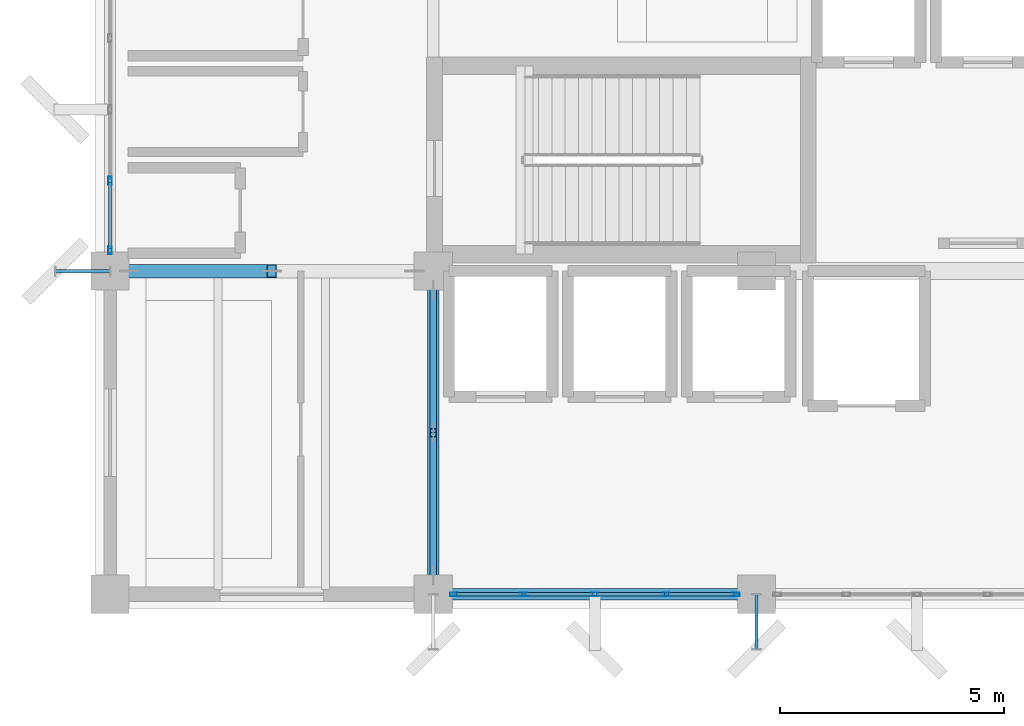
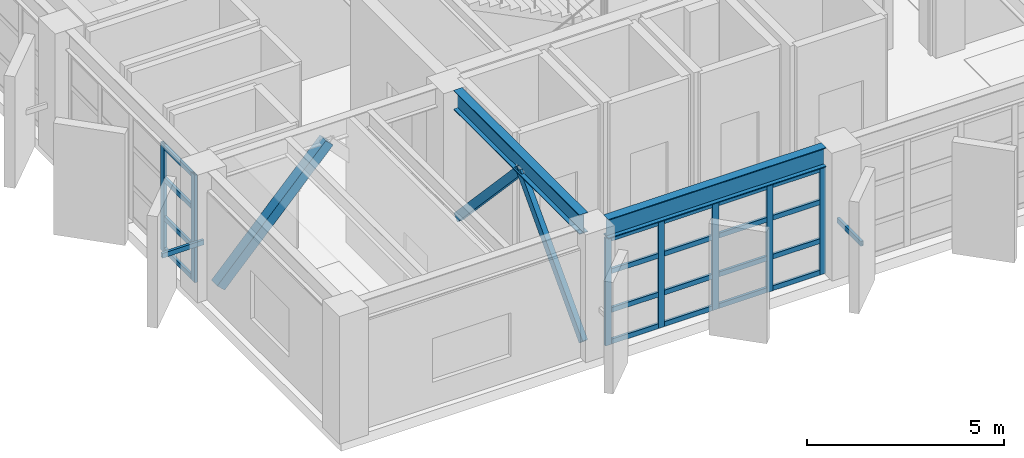
# One storey, part 6 of 59: 32 members, 2 beams, 2 elements without a shape of their own.
"""IFC4 building model written with IfcOpenShell, lengths in metres."""

from ifc_helpers import new_model, si_unit, direction, frame, origin, origin_2d, place, context, subcontext, project, spatial, hollow_rectangle, i_section, extrude, material, layer, layer_set, material_profile, profile_set, type_object, element, aggregate, save


model = new_model("IFC4")

# Units and contexts
model_context = context("Model", 3, precision=1e-05, world=origin(), true_north=direction((0.0, 1.0)))
body_context = subcontext(model_context, "Body", "Model", "MODEL_VIEW")
ifc_project = project(units=[si_unit("LENGTHUNIT", "METRE"), si_unit("AREAUNIT", "SQUARE_METRE"), si_unit("VOLUMEUNIT", "CUBIC_METRE"), si_unit("PLANEANGLEUNIT", "RADIAN"), si_unit("MASSUNIT", "GRAM", prefix="KILO")], contexts=[model_context])

# Site, building, storey
site_placement = place(None, origin())
site = spatial("IfcSite", under=ifc_project, at=site_placement, CompositionType="ELEMENT")
building_placement = place(site_placement, origin())
building = spatial("IfcBuilding", under=site, at=building_placement, Name="Kandorven Conservatory and Botanical Research Centre", CompositionType="ELEMENT")
storey_placement = place(building_placement, frame((0.0, 0.0, 4.800048828125)))
storey = spatial("IfcBuildingStorey", under=building, at=storey_placement, Name="L01", CompositionType="ELEMENT", Elevation=4.800048828125)

# Beams
ifc_material_1 = material(Name="Steel S355 (IS 2062 E350)", Category="steel")
ifc_material_profile_1 = material_profile(ifc_material_1, i_section(OverallWidth=0.25, OverallDepth=0.60009765625, WebThickness=0.01171875, FlangeThickness=0.023681640625, at=origin_2d()))
ifc_profile_set_1 = profile_set([ifc_material_profile_1], Name="Steel S355 (IS 2062 E350)")
beam_type = type_object("IfcBeamType", Name="Beam_FG-01", PredefinedType="USERDEFINED", material=ifc_profile_set_1)
beam_1_placement = place(storey_placement, frame((13.614990234375, 6.0, 3.64990234375), z_axis=(1.0, 0.0, 0.0), x_axis=(0.0, 1.0, 0.0)))
element("IfcBeam", 1, at=beam_1_placement, inside=storey, type_object=beam_type, Name="Primary girder FG-01 TWR L01", ObjectType="GIRDER", PredefinedType="USERDEFINED", context=body_context, shape_type="SweptSolid", body=[
    extrude(i_section(OverallWidth=0.25, OverallDepth=0.60009765625, WebThickness=0.01171875, FlangeThickness=0.023681640625, at=origin_2d()), origin(), (0.0, 0.0, 1.0), 6.3701171875),
])
beam_2_placement = place(storey_placement, frame((13.199951171875, 6.4150390625, 3.64990234375), z_axis=(0.0, 1.0, 0.0), x_axis=(-1.0, 0.0, 0.0)))
element("IfcBeam", 2, at=beam_2_placement, inside=storey, type_object=beam_type, Name="Primary girder FG-01 TWR L01", ObjectType="GIRDER", PredefinedType="USERDEFINED", context=body_context, shape_type="SweptSolid", body=[
    extrude(i_section(OverallWidth=0.25, OverallDepth=0.60009765625, WebThickness=0.01171875, FlangeThickness=0.023681640625, at=origin_2d()), origin(), (0.0, 0.0, 1.0), 6.369873046875),
])

# Curtain wall, members
ifc_material_2 = material(Name="Bronze anodised thermally broken aluminium", Category="aluminium")
ifc_layer = layer(ifc_material_2, 0.179931640625)
ifc_layer_set = layer_set([ifc_layer], Name="Bronze anodised thermally broken aluminium")
curtain_wall_type = type_object("IfcCurtainWallType", Name="CW_Unitised", PredefinedType="USERDEFINED", material=ifc_layer_set)
curtain_wall_1_placement = place(storey_placement, origin())
curtain_wall_1 = element("IfcCurtainWall", 3, at=curtain_wall_1_placement, inside=storey, type_object=curtain_wall_type, Name="Tower laboratory curtain wall CW-TWR-S-L01-2", ObjectType="UNITISED GLAZING", PredefinedType="USERDEFINED")
ifc_material_3 = material(Name="Bronze anodised thermally broken aluminium", Category="aluminium")
ifc_material_profile_2 = material_profile(ifc_material_3, hollow_rectangle(XDim=0.080078125, YDim=0.179931640625, WallThickness=0.006103515625, at=origin_2d()))
ifc_profile_set_2 = profile_set([ifc_material_profile_2], Name="Bronze anodised thermally broken aluminium")
member_type_1 = type_object("IfcMemberType", Name="CW_Mullion", PredefinedType="MULLION", material=ifc_profile_set_2)
member_1_placement = place(storey_placement, frame((13.6650390625, 6.0, 0.0), z_axis=(0.0, 0.0, 1.0), x_axis=(0.0, 1.0, 0.0)))
member_1 = element("IfcMember", 4, at=member_1_placement, type_object=member_type_1, Name="CW-01 mullion 1", PredefinedType="MULLION", context=body_context, shape_type="SweptSolid", body=[
    extrude(hollow_rectangle(XDim=0.080078125, YDim=0.179931640625, WallThickness=0.006103515625, at=origin_2d()), origin(), (0.0, 0.0, 1.0), 3.329833984375),
])
member_2_placement = place(storey_placement, frame((15.21240234375, 6.0, 0.0), z_axis=(0.0, 0.0, 1.0), x_axis=(0.0, 1.0, 0.0)))
member_2 = element("IfcMember", 5, at=member_2_placement, type_object=member_type_1, Name="CW-01 mullion 2", PredefinedType="MULLION", context=body_context, shape_type="SweptSolid", body=[
    extrude(hollow_rectangle(XDim=0.080078125, YDim=0.179931640625, WallThickness=0.006103515625, at=origin_2d()), origin(), (0.0, 0.0, 1.0), 3.329833984375),
])
member_3_placement = place(storey_placement, frame((16.800048828125, 6.0, 0.0), z_axis=(0.0, 0.0, 1.0), x_axis=(0.0, 1.0, 0.0)))
member_3 = element("IfcMember", 6, at=member_3_placement, type_object=member_type_1, Name="CW-01 mullion 3", PredefinedType="MULLION", context=body_context, shape_type="SweptSolid", body=[
    extrude(hollow_rectangle(XDim=0.080078125, YDim=0.179931640625, WallThickness=0.006103515625, at=origin_2d()), origin(), (0.0, 0.0, 1.0), 3.329833984375),
])
member_4_placement = place(storey_placement, frame((18.387451171875, 6.0, 0.0), z_axis=(0.0, 0.0, 1.0), x_axis=(0.0, 1.0, 0.0)))
member_4 = element("IfcMember", 7, at=member_4_placement, type_object=member_type_1, Name="CW-01 mullion 4", PredefinedType="MULLION", context=body_context, shape_type="SweptSolid", body=[
    extrude(hollow_rectangle(XDim=0.080078125, YDim=0.179931640625, WallThickness=0.006103515625, at=origin_2d()), origin(), (0.0, 0.0, 1.0), 3.329833984375),
])
member_5_placement = place(storey_placement, frame((19.93505859375, 6.0, 0.0), z_axis=(0.0, 0.0, 1.0), x_axis=(0.0, 1.0, 0.0)))
member_5 = element("IfcMember", 8, at=member_5_placement, type_object=member_type_1, Name="CW-01 mullion 5", PredefinedType="MULLION", context=body_context, shape_type="SweptSolid", body=[
    extrude(hollow_rectangle(XDim=0.080078125, YDim=0.179931640625, WallThickness=0.006103515625, at=origin_2d()), origin(), (0.0, 0.0, 1.0), 3.329833984375),
])

curtain_wall_2_placement = place(storey_placement, origin())
curtain_wall_2 = element("IfcCurtainWall", 9, at=curtain_wall_2_placement, inside=storey, type_object=curtain_wall_type, Name="Tower laboratory curtain wall CW-TWR-W-L01-2", ObjectType="UNITISED GLAZING", PredefinedType="USERDEFINED")
member_6_placement = place(storey_placement, frame((6.0, 13.6650390625, 0.0), z_axis=(0.0, 0.0, 1.0), x_axis=(-1.0, 0.0, 0.0)))
member_6 = element("IfcMember", 10, at=member_6_placement, type_object=member_type_1, Name="CW-01 mullion 1", PredefinedType="MULLION", context=body_context, shape_type="SweptSolid", body=[
    extrude(hollow_rectangle(XDim=0.080078125, YDim=0.179931640625, WallThickness=0.006103515625, at=origin_2d()), origin(), (0.0, 0.0, 1.0), 3.329833984375),
])
member_7_placement = place(storey_placement, frame((6.0, 15.21240234375, 0.0), z_axis=(0.0, 0.0, 1.0), x_axis=(-1.0, 0.0, 0.0)))
member_7 = element("IfcMember", 11, at=member_7_placement, type_object=member_type_1, Name="CW-01 mullion 2", PredefinedType="MULLION", context=body_context, shape_type="SweptSolid", body=[
    extrude(hollow_rectangle(XDim=0.080078125, YDim=0.179931640625, WallThickness=0.006103515625, at=origin_2d()), origin(), (0.0, 0.0, 1.0), 3.329833984375),
])

# Member
ifc_material_4 = material(Name="Bronze anodised thermally broken aluminium", Category="aluminium")
ifc_material_profile_3 = material_profile(ifc_material_4, hollow_rectangle(XDim=0.074951171875, YDim=0.14990234375, WallThickness=0.006103515625, at=origin_2d()))
ifc_profile_set_3 = profile_set([ifc_material_profile_3], Name="Bronze anodised thermally broken aluminium")
member_type_2 = type_object("IfcMemberType", Name="CW_Transom", PredefinedType="USERDEFINED", material=ifc_profile_set_3)
member_8_placement = place(storey_placement, frame((13.705078125, 6.0, 0.074951171875), z_axis=(1.0, 0.0, 0.0), x_axis=(0.0, 1.0, 0.0)))
member_8 = element("IfcMember", 12, at=member_8_placement, type_object=member_type_2, Name="CW-01 transom 1.1", ObjectType="TRANSOM", PredefinedType="USERDEFINED", context=body_context, shape_type="SweptSolid", body=[
    extrude(hollow_rectangle(XDim=0.074951171875, YDim=0.14990234375, WallThickness=0.006103515625, at=origin_2d()), origin(), (0.0, 0.0, 1.0), 1.467529296875),
])

member_9_placement = place(storey_placement, frame((13.705078125, 6.0, 1.050048828125), z_axis=(1.0, 0.0, 0.0), x_axis=(0.0, 1.0, 0.0)))
member_9 = element("IfcMember", 13, at=member_9_placement, type_object=member_type_2, Name="CW-01 transom 1.2", ObjectType="TRANSOM", PredefinedType="USERDEFINED", context=body_context, shape_type="SweptSolid", body=[
    extrude(hollow_rectangle(XDim=0.074951171875, YDim=0.14990234375, WallThickness=0.006103515625, at=origin_2d()), origin(), (0.0, 0.0, 1.0), 1.467529296875),
])

member_10_placement = place(storey_placement, frame((13.705078125, 6.0, 2.25), z_axis=(1.0, 0.0, 0.0), x_axis=(0.0, 1.0, 0.0)))
member_10 = element("IfcMember", 14, at=member_10_placement, type_object=member_type_2, Name="CW-01 transom 1.3", ObjectType="TRANSOM", PredefinedType="USERDEFINED", context=body_context, shape_type="SweptSolid", body=[
    extrude(hollow_rectangle(XDim=0.074951171875, YDim=0.14990234375, WallThickness=0.006103515625, at=origin_2d()), origin(), (0.0, 0.0, 1.0), 1.467529296875),
])

member_11_placement = place(storey_placement, frame((13.705078125, 6.0, 3.2548828125), z_axis=(1.0, 0.0, 0.0), x_axis=(0.0, 1.0, 0.0)))
member_11 = element("IfcMember", 15, at=member_11_placement, type_object=member_type_2, Name="CW-01 transom 1.4", ObjectType="TRANSOM", PredefinedType="USERDEFINED", context=body_context, shape_type="SweptSolid", body=[
    extrude(hollow_rectangle(XDim=0.074951171875, YDim=0.14990234375, WallThickness=0.006103515625, at=origin_2d()), origin(), (0.0, 0.0, 1.0), 1.467529296875),
])

member_12_placement = place(storey_placement, frame((15.25244140625, 6.0, 0.074951171875), z_axis=(1.0, 0.0, 0.0), x_axis=(0.0, 1.0, 0.0)))
member_12 = element("IfcMember", 16, at=member_12_placement, type_object=member_type_2, Name="CW-01 transom 2.1", ObjectType="TRANSOM", PredefinedType="USERDEFINED", context=body_context, shape_type="SweptSolid", body=[
    extrude(hollow_rectangle(XDim=0.074951171875, YDim=0.14990234375, WallThickness=0.006103515625, at=origin_2d()), origin(), (0.0, 0.0, 1.0), 1.507568359375),
])

member_13_placement = place(storey_placement, frame((15.25244140625, 6.0, 1.050048828125), z_axis=(1.0, 0.0, 0.0), x_axis=(0.0, 1.0, 0.0)))
member_13 = element("IfcMember", 17, at=member_13_placement, type_object=member_type_2, Name="CW-01 transom 2.2", ObjectType="TRANSOM", PredefinedType="USERDEFINED", context=body_context, shape_type="SweptSolid", body=[
    extrude(hollow_rectangle(XDim=0.074951171875, YDim=0.14990234375, WallThickness=0.006103515625, at=origin_2d()), origin(), (0.0, 0.0, 1.0), 1.507568359375),
])

member_14_placement = place(storey_placement, frame((15.25244140625, 6.0, 2.25), z_axis=(1.0, 0.0, 0.0), x_axis=(0.0, 1.0, 0.0)))
member_14 = element("IfcMember", 18, at=member_14_placement, type_object=member_type_2, Name="CW-01 transom 2.3", ObjectType="TRANSOM", PredefinedType="USERDEFINED", context=body_context, shape_type="SweptSolid", body=[
    extrude(hollow_rectangle(XDim=0.074951171875, YDim=0.14990234375, WallThickness=0.006103515625, at=origin_2d()), origin(), (0.0, 0.0, 1.0), 1.507568359375),
])

member_15_placement = place(storey_placement, frame((15.25244140625, 6.0, 3.2548828125), z_axis=(1.0, 0.0, 0.0), x_axis=(0.0, 1.0, 0.0)))
member_15 = element("IfcMember", 19, at=member_15_placement, type_object=member_type_2, Name="CW-01 transom 2.4", ObjectType="TRANSOM", PredefinedType="USERDEFINED", context=body_context, shape_type="SweptSolid", body=[
    extrude(hollow_rectangle(XDim=0.074951171875, YDim=0.14990234375, WallThickness=0.006103515625, at=origin_2d()), origin(), (0.0, 0.0, 1.0), 1.507568359375),
])

member_16_placement = place(storey_placement, frame((16.840087890625, 6.0, 0.074951171875), z_axis=(1.0, 0.0, 0.0), x_axis=(0.0, 1.0, 0.0)))
member_16 = element("IfcMember", 20, at=member_16_placement, type_object=member_type_2, Name="CW-01 transom 3.1", ObjectType="TRANSOM", PredefinedType="USERDEFINED", context=body_context, shape_type="SweptSolid", body=[
    extrude(hollow_rectangle(XDim=0.074951171875, YDim=0.14990234375, WallThickness=0.006103515625, at=origin_2d()), origin(), (0.0, 0.0, 1.0), 1.50732421875),
])

member_17_placement = place(storey_placement, frame((16.840087890625, 6.0, 1.050048828125), z_axis=(1.0, 0.0, 0.0), x_axis=(0.0, 1.0, 0.0)))
member_17 = element("IfcMember", 21, at=member_17_placement, type_object=member_type_2, Name="CW-01 transom 3.2", ObjectType="TRANSOM", PredefinedType="USERDEFINED", context=body_context, shape_type="SweptSolid", body=[
    extrude(hollow_rectangle(XDim=0.074951171875, YDim=0.14990234375, WallThickness=0.006103515625, at=origin_2d()), origin(), (0.0, 0.0, 1.0), 1.50732421875),
])

member_18_placement = place(storey_placement, frame((16.840087890625, 6.0, 2.25), z_axis=(1.0, 0.0, 0.0), x_axis=(0.0, 1.0, 0.0)))
member_18 = element("IfcMember", 22, at=member_18_placement, type_object=member_type_2, Name="CW-01 transom 3.3", ObjectType="TRANSOM", PredefinedType="USERDEFINED", context=body_context, shape_type="SweptSolid", body=[
    extrude(hollow_rectangle(XDim=0.074951171875, YDim=0.14990234375, WallThickness=0.006103515625, at=origin_2d()), origin(), (0.0, 0.0, 1.0), 1.50732421875),
])

member_19_placement = place(storey_placement, frame((16.840087890625, 6.0, 3.2548828125), z_axis=(1.0, 0.0, 0.0), x_axis=(0.0, 1.0, 0.0)))
member_19 = element("IfcMember", 23, at=member_19_placement, type_object=member_type_2, Name="CW-01 transom 3.4", ObjectType="TRANSOM", PredefinedType="USERDEFINED", context=body_context, shape_type="SweptSolid", body=[
    extrude(hollow_rectangle(XDim=0.074951171875, YDim=0.14990234375, WallThickness=0.006103515625, at=origin_2d()), origin(), (0.0, 0.0, 1.0), 1.50732421875),
])

member_20_placement = place(storey_placement, frame((18.427490234375, 6.0, 0.074951171875), z_axis=(1.0, 0.0, 0.0), x_axis=(0.0, 1.0, 0.0)))
member_20 = element("IfcMember", 24, at=member_20_placement, type_object=member_type_2, Name="CW-01 transom 4.1", ObjectType="TRANSOM", PredefinedType="USERDEFINED", context=body_context, shape_type="SweptSolid", body=[
    extrude(hollow_rectangle(XDim=0.074951171875, YDim=0.14990234375, WallThickness=0.006103515625, at=origin_2d()), origin(), (0.0, 0.0, 1.0), 1.467529296875),
])

member_21_placement = place(storey_placement, frame((18.427490234375, 6.0, 1.050048828125), z_axis=(1.0, 0.0, 0.0), x_axis=(0.0, 1.0, 0.0)))
member_21 = element("IfcMember", 25, at=member_21_placement, type_object=member_type_2, Name="CW-01 transom 4.2", ObjectType="TRANSOM", PredefinedType="USERDEFINED", context=body_context, shape_type="SweptSolid", body=[
    extrude(hollow_rectangle(XDim=0.074951171875, YDim=0.14990234375, WallThickness=0.006103515625, at=origin_2d()), origin(), (0.0, 0.0, 1.0), 1.467529296875),
])

member_22_placement = place(storey_placement, frame((18.427490234375, 6.0, 2.25), z_axis=(1.0, 0.0, 0.0), x_axis=(0.0, 1.0, 0.0)))
member_22 = element("IfcMember", 26, at=member_22_placement, type_object=member_type_2, Name="CW-01 transom 4.3", ObjectType="TRANSOM", PredefinedType="USERDEFINED", context=body_context, shape_type="SweptSolid", body=[
    extrude(hollow_rectangle(XDim=0.074951171875, YDim=0.14990234375, WallThickness=0.006103515625, at=origin_2d()), origin(), (0.0, 0.0, 1.0), 1.467529296875),
])

member_23_placement = place(storey_placement, frame((18.427490234375, 6.0, 3.2548828125), z_axis=(1.0, 0.0, 0.0), x_axis=(0.0, 1.0, 0.0)))
member_23 = element("IfcMember", 27, at=member_23_placement, type_object=member_type_2, Name="CW-01 transom 4.4", ObjectType="TRANSOM", PredefinedType="USERDEFINED", context=body_context, shape_type="SweptSolid", body=[
    extrude(hollow_rectangle(XDim=0.074951171875, YDim=0.14990234375, WallThickness=0.006103515625, at=origin_2d()), origin(), (0.0, 0.0, 1.0), 1.467529296875),
])

aggregate(curtain_wall_1, [member_1, member_2, member_3, member_4, member_5, member_8, member_9, member_10, member_11, member_12, member_13, member_14, member_15, member_16, member_17, member_18, member_19, member_20, member_21, member_22, member_23])

member_24_placement = place(storey_placement, frame((6.0, 13.705078125, 0.074951171875), z_axis=(0.0, 1.0, 0.0), x_axis=(-1.0, 0.0, 0.0)))
member_24 = element("IfcMember", 28, at=member_24_placement, type_object=member_type_2, Name="CW-01 transom 1.1", ObjectType="TRANSOM", PredefinedType="USERDEFINED", context=body_context, shape_type="SweptSolid", body=[
    extrude(hollow_rectangle(XDim=0.074951171875, YDim=0.14990234375, WallThickness=0.006103515625, at=origin_2d()), origin(), (0.0, 0.0, 1.0), 1.467529296875),
])

member_25_placement = place(storey_placement, frame((6.0, 13.705078125, 1.050048828125), z_axis=(0.0, 1.0, 0.0), x_axis=(-1.0, 0.0, 0.0)))
member_25 = element("IfcMember", 29, at=member_25_placement, type_object=member_type_2, Name="CW-01 transom 1.2", ObjectType="TRANSOM", PredefinedType="USERDEFINED", context=body_context, shape_type="SweptSolid", body=[
    extrude(hollow_rectangle(XDim=0.074951171875, YDim=0.14990234375, WallThickness=0.006103515625, at=origin_2d()), origin(), (0.0, 0.0, 1.0), 1.467529296875),
])

member_26_placement = place(storey_placement, frame((6.0, 13.705078125, 2.25), z_axis=(0.0, 1.0, 0.0), x_axis=(-1.0, 0.0, 0.0)))
member_26 = element("IfcMember", 30, at=member_26_placement, type_object=member_type_2, Name="CW-01 transom 1.3", ObjectType="TRANSOM", PredefinedType="USERDEFINED", context=body_context, shape_type="SweptSolid", body=[
    extrude(hollow_rectangle(XDim=0.074951171875, YDim=0.14990234375, WallThickness=0.006103515625, at=origin_2d()), origin(), (0.0, 0.0, 1.0), 1.467529296875),
])

member_27_placement = place(storey_placement, frame((6.0, 13.705078125, 3.2548828125), z_axis=(0.0, 1.0, 0.0), x_axis=(-1.0, 0.0, 0.0)))
member_27 = element("IfcMember", 31, at=member_27_placement, type_object=member_type_2, Name="CW-01 transom 1.4", ObjectType="TRANSOM", PredefinedType="USERDEFINED", context=body_context, shape_type="SweptSolid", body=[
    extrude(hollow_rectangle(XDim=0.074951171875, YDim=0.14990234375, WallThickness=0.006103515625, at=origin_2d()), origin(), (0.0, 0.0, 1.0), 1.467529296875),
])

aggregate(curtain_wall_2, [member_6, member_7, member_24, member_25, member_26, member_27])

# Members
ifc_material_5 = material(Name="Steel S355 (IS 2062 E350)", Category="steel")
ifc_material_profile_4 = material_profile(ifc_material_5, hollow_rectangle(XDim=0.300048828125, YDim=0.300048828125, WallThickness=0.01611328125, at=origin_2d()))
ifc_profile_set_4 = profile_set([ifc_material_profile_4], Name="Steel S355 (IS 2062 E350)")
member_type_3 = type_object("IfcMemberType", Name="Mem_BR-01", PredefinedType="BRACE", material=ifc_profile_set_4)
member_28_placement = place(storey_placement, frame((6.425048828125, 13.199951171875, 0.0), z_axis=(0.684676309154, 0.0, 0.728847275966), x_axis=(0.0, 1.0, 0.0)))
element("IfcMember", 32, at=member_28_placement, inside=storey, type_object=member_type_3, Name="Tower lateral chevron brace BR-01 L01 W", PredefinedType="BRACE", context=body_context, shape_type="SweptSolid", body=[
    extrude(hollow_rectangle(XDim=0.300048828125, YDim=0.300048828125, WallThickness=0.01611328125, at=origin_2d()), origin(), (0.0, 0.0, 1.0), 4.63720703125),
])
ifc_material_6 = material(Name="Steel S355 (IS 2062 E350)", Category="steel")
ifc_material_profile_5 = material_profile(ifc_material_6, hollow_rectangle(XDim=0.14990234375, YDim=0.25, WallThickness=0.010009765625, at=origin_2d()))
ifc_profile_set_5 = profile_set([ifc_material_profile_5], Name="Steel S355 (IS 2062 E350)")
member_type_4 = type_object("IfcMemberType", Name="Mem_BR-04", PredefinedType="BRACE", material=ifc_profile_set_5)
for number, where, z_axis, x_axis, name in (
    (33, (13.199951171875, 6.425048828125, 0.0), (0.0, 0.684676309154, 0.728847275966), (-1.0, 0.0, 0.0), "Tower lateral chevron brace BR-04 L01 S"),
    (34, (13.199951171875, 12.77490234375, 0.0), (0.0, -0.684648340505, 0.728873548597), (1.0, 0.0, 0.0), "Tower lateral chevron brace BR-04 L01 N"),
):
    element("IfcMember", number, at=place(storey_placement, frame(where, z_axis=z_axis, x_axis=x_axis)), inside=storey, type_object=member_type_4, Name=name, PredefinedType="BRACE", context=body_context, shape_type="SweptSolid", body=[
        extrude(hollow_rectangle(XDim=0.14990234375, YDim=0.25, WallThickness=0.010009765625, at=origin_2d()), origin(), (0.0, 0.0, 1.0), 4.63720703125),
    ])
ifc_material_7 = material(Name="Steel S355 (IS 2062 E350)", Category="steel")
ifc_material_profile_6 = material_profile(ifc_material_7, hollow_rectangle(XDim=0.074951171875, YDim=0.14990234375, WallThickness=0.006103515625, at=origin_2d()))
ifc_profile_set_6 = profile_set([ifc_material_profile_6], Name="Steel S355 (IS 2062 E350)")
member_type_5 = type_object("IfcMemberType", Name="Mem_SF-01", PredefinedType="STRUT", material=ifc_profile_set_6)
for number, where, z_axis, x_axis, name in (
    (35, (20.39990234375, 6.0, 1.5), (0.0, -1.0, 0.0), (1.0, 0.0, 0.0), "Solar fin steel outrigger strut SF-01 #3"),
    (36, (6.0, 13.199951171875, 1.5), (-1.0, 0.0, 0.0), (0.0, -1.0, 0.0), "Solar fin steel outrigger strut SF-01 #7"),
):
    element("IfcMember", number, at=place(storey_placement, frame(where, z_axis=z_axis, x_axis=x_axis)), inside=storey, type_object=member_type_5, Name=name, PredefinedType="STRUT", context=body_context, shape_type="SweptSolid", body=[
        extrude(hollow_rectangle(XDim=0.074951171875, YDim=0.14990234375, WallThickness=0.006103515625, at=origin_2d()), origin(), (0.0, 0.0, 1.0), 1.219970703125),
    ])

save(model, "model.ifc")
